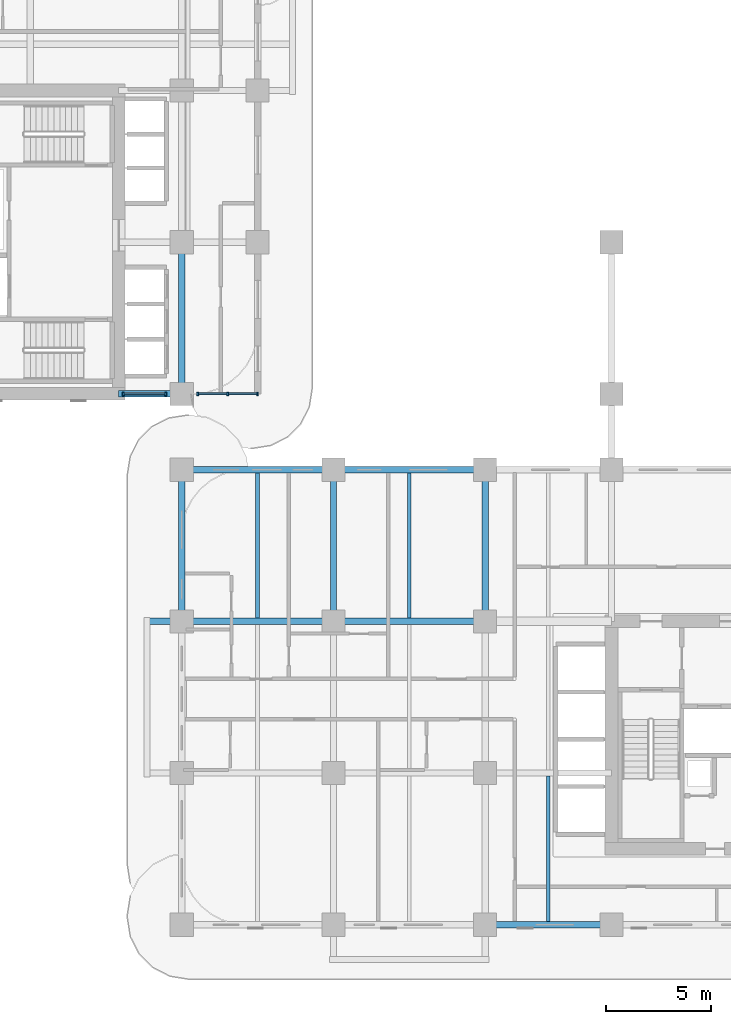
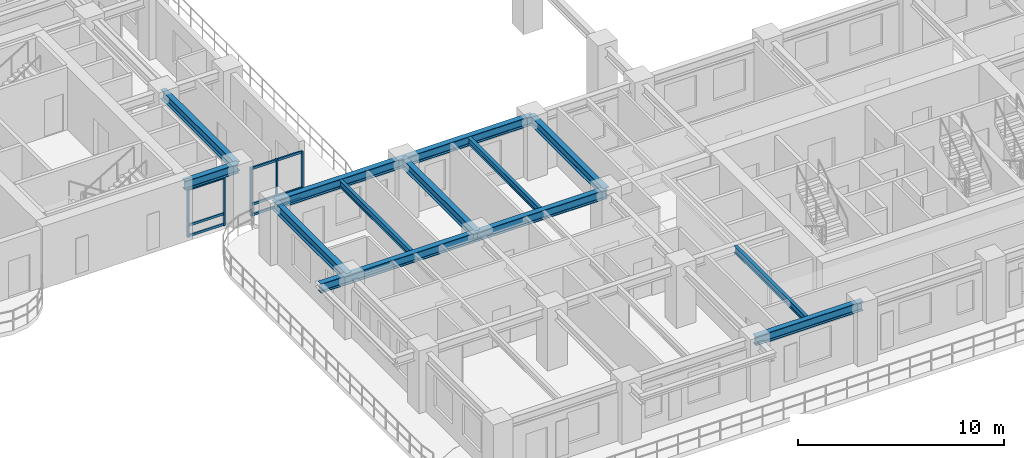
# One storey, part 2 of 19: 14 members, 13 beams, 2 elements without a shape of their own.
"""IFC4 building model written with IfcOpenShell, lengths in metres."""

import ifcopenshell
import ifcopenshell.guid

model = None  # the IFC model being written
_history = None  # IfcOwnerHistory: only IFC2X3 demands one
_inside = {}  # id of a spatial element -> (the spatial element, [elements in it])
_under = {}  # id of a project, library or spatial element -> (it, [spatial elements below it])
_declared = {}  # id of a project -> (the project, [libraries it declares])
_typed = {}  # id of a type object -> (the type object, [elements of that type])
_made_of = {}  # id of a material, layer set ... -> (it, [elements and type objects made of it])


def new_model(schema):
    """Start an empty IFC model of exactly this schema.

    Asked for "IFC4X3", IfcOpenShell would pick the latest addendum, in which some entities
    have other attributes; the version numbers below select the first issue.
    IFC2X3 requires an IfcOwnerHistory on every rooted entity: one is made here for all.
    """
    global model, _history
    if schema == "IFC4X3":
        model = ifcopenshell.file(schema_version=(4, 3, 0, 0))
    else:
        model = ifcopenshell.file(schema=schema)
    _inside.clear()
    _under.clear()
    _declared.clear()
    _typed.clear()
    _made_of.clear()
    _history = None
    if model.schema == "IFC2X3":
        org = make("IfcOrganization", Name="unknown")
        user = make(
            "IfcPersonAndOrganization",
            ThePerson=make("IfcPerson", FamilyName="unknown"),
            TheOrganization=org,
        )
        app = make(
            "IfcApplication",
            ApplicationDeveloper=org,
            Version="unknown",
            ApplicationFullName="unknown",
            ApplicationIdentifier="unknown",
        )
        _history = make(
            "IfcOwnerHistory",
            OwningUser=user,
            OwningApplication=app,
            ChangeAction="ADDED",
            CreationDate=0,
        )
    return model


def make(cls, **values):
    """One entity of the class cls with the attributes given. An attribute that is None is left unset."""
    return model.create_entity(
        cls, **{name: value for name, value in values.items() if value is not None}
    )


def rooted(cls, **values):
    """An entity with a GlobalId (a new one), such as an element, a storey or a relation."""
    return make(cls, GlobalId=ifcopenshell.guid.new(), OwnerHistory=_history, **values)


def si_unit(unit_type, name, prefix=None):
    """IfcSIUnit, for example si_unit("LENGTHUNIT", "METRE", prefix="MILLI")."""
    return make("IfcSIUnit", UnitType=unit_type, Prefix=prefix, Name=name)


def derived_unit(unit_type, elements):
    """IfcDerivedUnit: a product of units, each with its exponent."""
    return make(
        "IfcDerivedUnit",
        Elements=[
            make("IfcDerivedUnitElement", Unit=unit, Exponent=power)
            for unit, power in elements
        ],
        UnitType=unit_type,
    )


def assignment(units):
    """IfcUnitAssignment: the units of a project."""
    return None if units is None else make("IfcUnitAssignment", Units=units)


def point(xyz):
    """IfcCartesianPoint."""
    return None if xyz is None else make("IfcCartesianPoint", Coordinates=xyz)


def direction(xyz):
    """IfcDirection."""
    return None if xyz is None else make("IfcDirection", DirectionRatios=xyz)


def frame(location, z_axis=None, x_axis=None):
    """IfcAxis2Placement3D, a coordinate frame: its origin and axes. An axis left out is left unset."""
    return make(
        "IfcAxis2Placement3D",
        Location=point(location),
        Axis=direction(z_axis),
        RefDirection=direction(x_axis),
    )


def frame_2d(location, x_axis=None):
    """IfcAxis2Placement2D, a coordinate frame in the plane: its origin and x axis."""
    return make(
        "IfcAxis2Placement2D", Location=point(location), RefDirection=direction(x_axis)
    )


def origin():
    """The frame at (0, 0, 0) with its axes left unset."""
    return frame((0.0, 0.0, 0.0))


def origin_2d():
    """The frame at (0, 0) in the plane with its x axis left unset."""
    return frame_2d((0.0, 0.0))


def place(relative_to, where):
    """IfcLocalPlacement: puts the frame where relative to a parent placement (None: the world)."""
    return make(
        "IfcLocalPlacement", PlacementRelTo=relative_to, RelativePlacement=where
    )


def context(
    kind, dimensions, precision=None, world=None, true_north=None, identifier=None
):
    """IfcGeometricRepresentationContext, for example the 3D "Model" context."""
    return make(
        "IfcGeometricRepresentationContext",
        ContextIdentifier=identifier,
        ContextType=kind,
        CoordinateSpaceDimension=dimensions,
        Precision=precision,
        WorldCoordinateSystem=world,
        TrueNorth=true_north,
    )


def subcontext(parent, identifier, kind, view, scale=None):
    """IfcGeometricRepresentationSubContext, for example "Body" below "Model"."""
    return make(
        "IfcGeometricRepresentationSubContext",
        ContextIdentifier=identifier,
        ContextType=kind,
        ParentContext=parent,
        TargetScale=scale,
        TargetView=view,
    )


def project(units=None, contexts=None):
    """IfcProject with its units and contexts."""
    return rooted(
        "IfcProject",
        Name="project",
        RepresentationContexts=contexts,
        UnitsInContext=assignment(units),
    )


def spatial(cls, under=None, at=None, **own):
    """A site, building, storey or space (cls), placed at a placement, below another one or the project."""
    s = rooted(cls, ObjectPlacement=at, **own)
    if under is not None:
        _under.setdefault(under.id(), (under, []))[1].append(s)
    return s


def profile(cls, at=None, kind="AREA", **sizes):
    """A parametric profile (cls). Its sizes go by their IFC names, for example OverallWidth=200.0."""
    return make(cls, ProfileType=kind, Position=at, **sizes)


def rectangle(**sizes):
    """IfcRectangleProfileDef."""
    return profile("IfcRectangleProfileDef", **sizes)


def i_section(**sizes):
    """IfcIShapeProfileDef."""
    return profile("IfcIShapeProfileDef", **sizes)


def extrude(swept, where, along, depth):
    """IfcExtrudedAreaSolid: the profile swept, set in the frame where, extruded along a direction by depth."""
    return make(
        "IfcExtrudedAreaSolid",
        SweptArea=swept,
        Position=where,
        ExtrudedDirection=direction(along),
        Depth=depth,
    )


def shape(context_of_items, identifier, shape_type, items):
    """IfcShapeRepresentation: the items that make up one representation, for example the "Body"."""
    return make(
        "IfcShapeRepresentation",
        ContextOfItems=context_of_items,
        RepresentationIdentifier=identifier,
        RepresentationType=shape_type,
        Items=items,
    )


def source(mapping_origin, context_of_items, identifier, shape_type, items):
    """IfcRepresentationMap: a shape defined once, which mapped items show again and again."""
    return make(
        "IfcRepresentationMap",
        MappingOrigin=mapping_origin,
        MappedRepresentation=shape(context_of_items, identifier, shape_type, items),
    )


def transform(
    local_origin,
    x_axis=None,
    y_axis=None,
    z_axis=None,
    scale=None,
    scale2=None,
    scale3=None,
    uniform=True,
):
    """IfcCartesianTransformationOperator3D, or its non-uniform kind. x_axis, y_axis, z_axis: its Axis1, 2, 3."""
    if uniform:
        return make(
            "IfcCartesianTransformationOperator3D",
            Axis1=direction(x_axis),
            Axis2=direction(y_axis),
            LocalOrigin=point(local_origin),
            Scale=scale,
            Axis3=direction(z_axis),
        )
    return make(
        "IfcCartesianTransformationOperator3DnonUniform",
        Axis1=direction(x_axis),
        Axis2=direction(y_axis),
        LocalOrigin=point(local_origin),
        Scale=scale,
        Axis3=direction(z_axis),
        Scale2=scale2,
        Scale3=scale3,
    )


def mapped(mapping_source, mapping_target):
    """IfcMappedItem: shows the shape of a source again, moved by a transform."""
    return make(
        "IfcMappedItem", MappingSource=mapping_source, MappingTarget=mapping_target
    )


def material(Name=None, Category=None):
    """IfcMaterial."""
    return make("IfcMaterial", Name=Name, Category=Category)


def layer(
    of_material, thickness, ventilated=None, Name=None, Category=None, Priority=None
):
    """IfcMaterialLayer: one layer of a wall or slab, of a material (None: an air gap)."""
    return make(
        "IfcMaterialLayer",
        Material=of_material,
        LayerThickness=thickness,
        IsVentilated=ventilated,
        Name=Name,
        Category=Category,
        Priority=Priority,
    )


def layer_set(layers, Name=None):
    """IfcMaterialLayerSet."""
    return make("IfcMaterialLayerSet", MaterialLayers=layers, LayerSetName=Name)


def material_profile(
    of_material, cross_section, Name=None, Category=None, Priority=None
):
    """IfcMaterialProfile: a cross section and its material."""
    return make(
        "IfcMaterialProfile",
        Name=Name,
        Material=of_material,
        Profile=cross_section,
        Priority=Priority,
        Category=Category,
    )


def profile_set(profiles, Name=None, composite=None):
    """IfcMaterialProfileSet."""
    return make(
        "IfcMaterialProfileSet",
        Name=Name,
        MaterialProfiles=profiles,
        CompositeProfile=composite,
    )


def made_of(thing, what):
    """Note that an element or type object is made of a material, layer set ...; save() writes the relation."""
    if what is not None:
        _made_of.setdefault(what.id(), (what, []))[1].append(thing)
    return thing


def type_object(cls, material=None, **own):
    """A type object (cls), such as IfcWallType, which elements share."""
    return made_of(rooted(cls, **own), material)


def type_shapes(of_type, sources):
    """Give a type object the sources (RepresentationMaps) that its elements show as mapped items."""
    of_type.RepresentationMaps = sources


def element(
    cls,
    number,
    at=None,
    inside=None,
    cuts=None,
    type_object=None,
    material=None,
    context=None,
    identifier="Body",
    shape_type=None,
    held_by="IfcProductDefinitionShape",
    body=None,
    shapes=None,
    **own,
):
    """One element of the class cls, such as IfcWall. Its Tag is "e" and its number.

    at: its placement. inside: the storey or other place that contains it. cuts: it is an
    opening in that element (IfcRelVoidsElement). A single representation is given by context,
    identifier, shape_type and body (its items); several are given by shapes. held_by: the class
    of the entity that holds the representations. save() writes the other relations.
    """
    e = rooted(cls, Tag="e%d" % number, ObjectPlacement=at, **own)
    if body is not None:
        shapes = [shape(context, identifier, shape_type, body)]
    if shapes is not None:
        e.Representation = make(held_by, Representations=shapes)
    if inside is not None:
        _inside.setdefault(inside.id(), (inside, []))[1].append(e)
    if cuts is not None:
        rooted(
            "IfcRelVoidsElement", RelatingBuildingElement=cuts, RelatedOpeningElement=e
        )
    if type_object is not None:
        _typed.setdefault(type_object.id(), (type_object, []))[1].append(e)
    return made_of(e, material)


def aggregate(whole, parts):
    """IfcRelAggregates: a whole, such as a stair, and the parts it consists of."""
    return rooted("IfcRelAggregates", RelatingObject=whole, RelatedObjects=parts)


def save(model, path):
    """Write the relations noted so far, then the file.

    IfcRelAggregates (storeys below a building ...), IfcRelContainedInSpatialStructure (elements
    in a storey), IfcRelDefinesByType, IfcRelAssociatesMaterial and IfcRelDeclares: one each for
    every whole, place, type object, material and project.
    """
    for whole, parts in _under.values():
        aggregate(whole, parts)
    for where, things in _inside.values():
        rooted(
            "IfcRelContainedInSpatialStructure",
            RelatedElements=things,
            RelatingStructure=where,
        )
    for kind, things in _typed.values():
        rooted("IfcRelDefinesByType", RelatedObjects=things, RelatingType=kind)
    for what, things in _made_of.values():
        rooted("IfcRelAssociatesMaterial", RelatedObjects=things, RelatingMaterial=what)
    for by, libraries in _declared.values():
        rooted("IfcRelDeclares", RelatingContext=by, RelatedDefinitions=libraries)
    model.write(path)


model = new_model("IFC4")

# Units and contexts
model_context = context("Model", 3, precision=1e-05, world=origin(), true_north=direction((0.0, 1.0)))
body_context = subcontext(model_context, "Body", "Model", "MODEL_VIEW")
ifc_project = project(units=[si_unit("LENGTHUNIT", "METRE"), si_unit("AREAUNIT", "SQUARE_METRE"), si_unit("VOLUMEUNIT", "CUBIC_METRE"), si_unit("PLANEANGLEUNIT", "RADIAN"), si_unit("MASSUNIT", "GRAM", prefix="KILO"), si_unit("THERMODYNAMICTEMPERATUREUNIT", "KELVIN"), si_unit("POWERUNIT", "WATT"), derived_unit("THERMALTRANSMITTANCEUNIT", [(si_unit("POWERUNIT", "WATT"), 1), (si_unit("AREAUNIT", "SQUARE_METRE"), -1), (si_unit("THERMODYNAMICTEMPERATUREUNIT", "KELVIN"), -1)])], contexts=[model_context])

# Site, building, storey
site_placement = place(None, origin())
site = spatial("IfcSite", under=ifc_project, at=site_placement, CompositionType="ELEMENT")
building_placement = place(site_placement, origin())
building = spatial("IfcBuilding", under=site, at=building_placement, Name="Zahravan Archway Hotel and Residences", CompositionType="ELEMENT")
storey_placement = place(building_placement, frame((0.0, 0.0, 39.800048828125)))
storey = spatial("IfcBuildingStorey", under=building, at=storey_placement, Name="L08", CompositionType="ELEMENT", Elevation=39.800048828125)

# Beams
ifc_material_1 = material(Name="Structural Steel S355JR", Category="steel")
ifc_material_profile_1 = material_profile(ifc_material_1, i_section(OverallWidth=0.300048828125, OverallDepth=0.550048828125, WebThickness=0.014892578125, FlangeThickness=0.029052734375, FilletRadius=0.027099609375, at=origin_2d()), Name="HEB 550", Category="steel")
ifc_profile_set_1 = profile_set([ifc_material_profile_1], Name="Structural Steel S355JR")
beam_type_1 = type_object("IfcBeamType", Name="BM-PRI-HEB550", PredefinedType="BEAM", material=ifc_profile_set_1)
shared_shape_1 = source(origin(), body_context, "Body", "SweptSolid", [
    extrude(i_section(OverallWidth=0.300048828125, OverallDepth=0.550048828125, WebThickness=0.014892578125, FlangeThickness=0.029052734375, FilletRadius=0.027099609375, at=origin_2d()), origin(), (0.0, 0.0, 1.0), 7.2001953125),
])
type_shapes(beam_type_1, [shared_shape_1])
for number, where, z_axis, x_axis, name in (
    (1, (14.39990234375, 21.60009765625, 3.175048828125), (1.0, 0.0, 0.0), (0.0, 1.0, 0.0), "L08 Primary Girder EW-14"),
    (2, (14.39990234375, 14.39990234375, 3.175048828125), (0.0, 1.0, 0.0), (-1.0, 0.0, 0.0), "L08 Primary Girder NS-33"),
    (3, (21.60009765625, 14.39990234375, 3.175048828125), (0.0, 1.0, 0.0), (-1.0, 0.0, 0.0), "L08 Primary Girder NS-39"),
    (4, (28.800048828125, 14.39990234375, 3.175048828125), (0.0, 1.0, 0.0), (-1.0, 0.0, 0.0), "L08 Primary Girder NS-42"),
):
    element("IfcBeam", number, at=place(storey_placement, frame(where, z_axis=z_axis, x_axis=x_axis)), inside=storey, type_object=beam_type_1, Name=name, PredefinedType="BEAM", context=body_context, shape_type="MappedRepresentation", body=[
        mapped(shared_shape_1, transform((0.0, 0.0, 0.0), scale=1.0)),
    ])
shared_shape_2 = source(origin(), body_context, "Body", "SweptSolid", [
    extrude(i_section(OverallWidth=0.300048828125, OverallDepth=0.550048828125, WebThickness=0.014892578125, FlangeThickness=0.029052734375, FilletRadius=0.027099609375, at=origin_2d()), origin(), (0.0, 0.0, 1.0), 7.199951171875),
])
for number, where, z_axis, x_axis, name in (
    (5, (21.60009765625, 14.39990234375, 3.175048828125), (1.0, 0.0, 0.0), (0.0, 1.0, 0.0), "L08 Primary Girder EW-12"),
    (6, (21.60009765625, 21.60009765625, 3.175048828125), (1.0, 0.0, 0.0), (0.0, 1.0, 0.0), "L08 Primary Girder EW-15"),
    (7, (14.39990234375, 25.199951171875, 3.175048828125), (0.0, 1.0, 0.0), (-1.0, 0.0, 0.0), "L08 Primary Girder NS-34"),
):
    element("IfcBeam", number, at=place(storey_placement, frame(where, z_axis=z_axis, x_axis=x_axis)), inside=storey, type_object=beam_type_1, Name=name, PredefinedType="BEAM", context=body_context, shape_type="MappedRepresentation", body=[
        mapped(shared_shape_2, transform((0.0, 0.0, 0.0), scale=1.0)),
    ])
shared_shape_3 = source(origin(), body_context, "Body", "SweptSolid", [
    extrude(i_section(OverallWidth=0.300048828125, OverallDepth=0.550048828125, WebThickness=0.014892578125, FlangeThickness=0.029052734375, FilletRadius=0.027099609375, at=origin_2d()), origin(), (0.0, 0.0, 1.0), 6.0),
])
beam_1_placement = place(storey_placement, frame((28.800048828125, 0.0, 3.175048828125), z_axis=(1.0, 0.0, 0.0), x_axis=(0.0, 1.0, 0.0)))
element("IfcBeam", 8, at=beam_1_placement, inside=storey, type_object=beam_type_1, Name="L08 Primary Girder EW-03", PredefinedType="BEAM", context=body_context, shape_type="MappedRepresentation", body=[
    mapped(shared_shape_3, transform((0.0, 0.0, 0.0), scale=1.0)),
])
shared_shape_4 = source(origin(), body_context, "Body", "SweptSolid", [
    extrude(i_section(OverallWidth=0.300048828125, OverallDepth=0.550048828125, WebThickness=0.014892578125, FlangeThickness=0.029052734375, FilletRadius=0.027099609375, at=origin_2d()), origin(), (0.0, 0.0, 1.0), 8.85009765625),
])
beam_2_placement = place(storey_placement, frame((12.75, 14.39990234375, 3.175048828125), z_axis=(1.0, 0.0, 0.0), x_axis=(0.0, 1.0, 0.0)))
element("IfcBeam", 9, at=beam_2_placement, inside=storey, type_object=beam_type_1, Name="L08 Primary Girder EW-11", PredefinedType="BEAM", context=body_context, shape_type="MappedRepresentation", body=[
    mapped(shared_shape_4, transform((0.0, 0.0, 0.0), scale=1.0)),
])
shared_shape_5 = source(origin(), body_context, "Body", "SweptSolid", [
    extrude(i_section(OverallWidth=0.300048828125, OverallDepth=0.550048828125, WebThickness=0.014892578125, FlangeThickness=0.029052734375, FilletRadius=0.027099609375, at=origin_2d()), origin(), (0.0, 0.0, 1.0), 3.0),
])
beam_3_placement = place(storey_placement, frame((11.39990234375, 25.199951171875, 3.175048828125), z_axis=(1.0, 0.0, 0.0), x_axis=(0.0, 1.0, 0.0)))
element("IfcBeam", 10, at=beam_3_placement, inside=storey, type_object=beam_type_1, Name="L08 Primary Girder EW-20", PredefinedType="BEAM", context=body_context, shape_type="MappedRepresentation", body=[
    mapped(shared_shape_5, transform((0.0, 0.0, 0.0), scale=1.0)),
])
ifc_material_profile_2 = material_profile(ifc_material_1, i_section(OverallWidth=0.179931640625, OverallDepth=0.39990234375, WebThickness=0.008544921875, FlangeThickness=0.013427734375, FilletRadius=0.02099609375, at=origin_2d()), Name="IPE 400", Category="steel")
ifc_profile_set_2 = profile_set([ifc_material_profile_2], Name="Structural Steel S355JR")
beam_type_2 = type_object("IfcBeamType", Name="BM-JST-IPE400", PredefinedType="JOIST", material=ifc_profile_set_2)
shared_shape_6 = source(origin(), body_context, "Body", "SweptSolid", [
    extrude(i_section(OverallWidth=0.179931640625, OverallDepth=0.39990234375, WebThickness=0.008544921875, FlangeThickness=0.013427734375, FilletRadius=0.02099609375, at=origin_2d()), origin(), (0.0, 0.0, 1.0), 6.904052734375),
])
type_shapes(beam_type_2, [shared_shape_6])
beam_4_placement = place(storey_placement, frame((31.800048828125, 0.14794921875, 3.25), z_axis=(0.0, 1.0, 0.0), x_axis=(-1.0, 0.0, 0.0)))
element("IfcBeam", 11, at=beam_4_placement, inside=storey, type_object=beam_type_2, Name="L08 Composite Floor Joist 03", PredefinedType="JOIST", context=body_context, shape_type="MappedRepresentation", body=[
    mapped(shared_shape_6, transform((0.0, 0.0, 0.0), scale=1.0)),
])
shared_shape_7 = source(origin(), body_context, "Body", "SweptSolid", [
    extrude(i_section(OverallWidth=0.179931640625, OverallDepth=0.39990234375, WebThickness=0.008544921875, FlangeThickness=0.013427734375, FilletRadius=0.02099609375, at=origin_2d()), origin(), (0.0, 0.0, 1.0), 6.90380859375),
])
for number, where, z_axis, x_axis, name in (
    (12, (18.0, 14.548095703125, 3.25), (0.0, 1.0, 0.0), (-1.0, 0.0, 0.0), "L08 Composite Floor Joist 10"),
    (13, (25.199951171875, 14.548095703125, 3.25), (0.0, 1.0, 0.0), (-1.0, 0.0, 0.0), "L08 Composite Floor Joist 11"),
):
    element("IfcBeam", number, at=place(storey_placement, frame(where, z_axis=z_axis, x_axis=x_axis)), inside=storey, type_object=beam_type_2, Name=name, PredefinedType="JOIST", context=body_context, shape_type="MappedRepresentation", body=[
        mapped(shared_shape_7, transform((0.0, 0.0, 0.0), scale=1.0)),
    ])

# Curtain wall, members
ifc_material_2 = material(Name="Bronze-Anodized Unitised Aluminium & Low-E Glass", Category="aluminium")
ifc_layer = layer(ifc_material_2, 0.179931640625, Name="Bronze-Anodized Unitised Aluminium & Low-E Glass", Category="aluminium")
ifc_layer_set = layer_set([ifc_layer], Name="Bronze-Anodized Unitised Aluminium & Low-E Glass")
curtain_wall_type = type_object("IfcCurtainWallType", Name="CW-TWR-FEAT", PredefinedType="NOTDEFINED", material=ifc_layer_set)
curtain_wall_1_placement = place(storey_placement, origin())
curtain_wall_1 = element("IfcCurtainWall", 14, at=curtain_wall_1_placement, inside=storey, type_object=curtain_wall_type, Name="L08 Curtain Wall CW-L08-WB-SE-2", PredefinedType="NOTDEFINED")
ifc_material_3 = material(Name="Bronze-Anodized Extruded Aluminium", Category="aluminium")
ifc_material_profile_3 = material_profile(ifc_material_3, rectangle(XDim=0.080078125, YDim=0.139892578125, at=origin_2d()), Name="TRN 80x140", Category="aluminium")
ifc_profile_set_3 = profile_set([ifc_material_profile_3], Name="Bronze-Anodized Extruded Aluminium")
member_type_1 = type_object("IfcMemberType", Name="CWM-TRN-140", PredefinedType="USERDEFINED", material=ifc_profile_set_3)
shared_shape_8 = source(origin(), body_context, "Body", "SweptSolid", [
    extrude(rectangle(XDim=0.080078125, YDim=0.139892578125, at=origin_2d()), origin(), (0.0, 0.0, 1.0), 1.33984375),
])
member_1_placement = place(storey_placement, frame((16.6201171875, 25.199951171875, 0.070068359375), z_axis=(1.0, 0.0, 0.0), x_axis=(0.0, 1.0, 0.0)))
member_1 = element("IfcMember", 15, at=member_1_placement, type_object=member_type_1, Name="CW-L08-WB-SE-2 Transom 1-1", ObjectType="TRANSOM", PredefinedType="USERDEFINED", context=body_context, shape_type="MappedRepresentation", body=[
    mapped(shared_shape_8, transform((0.0, 0.0, 0.0), scale=1.0)),
])
member_2_placement = place(storey_placement, frame((16.6201171875, 25.199951171875, 0.6923828125), z_axis=(1.0, 0.0, 0.0), x_axis=(0.0, 1.0, 0.0)))
member_2 = element("IfcMember", 16, at=member_2_placement, type_object=member_type_1, Name="CW-L08-WB-SE-2 Transom 1-2", ObjectType="TRANSOM", PredefinedType="USERDEFINED", context=body_context, shape_type="MappedRepresentation", body=[
    mapped(shared_shape_8, transform((0.0, 0.0, 0.0), scale=1.0)),
])
member_3_placement = place(storey_placement, frame((16.6201171875, 25.199951171875, 2.81494140625), z_axis=(1.0, 0.0, 0.0), x_axis=(0.0, 1.0, 0.0)))
member_3 = element("IfcMember", 17, at=member_3_placement, type_object=member_type_1, Name="CW-L08-WB-SE-2 Transom 1-3", ObjectType="TRANSOM", PredefinedType="USERDEFINED", context=body_context, shape_type="MappedRepresentation", body=[
    mapped(shared_shape_8, transform((0.0, 0.0, 0.0), scale=1.0)),
])
shared_shape_9 = source(origin(), body_context, "Body", "SweptSolid", [
    extrude(rectangle(XDim=0.080078125, YDim=0.139892578125, at=origin_2d()), origin(), (0.0, 0.0, 1.0), 1.340087890625),
])
member_4_placement = place(storey_placement, frame((15.199951171875, 25.199951171875, 0.070068359375), z_axis=(1.0, 0.0, 0.0), x_axis=(0.0, 1.0, 0.0)))
member_4 = element("IfcMember", 18, at=member_4_placement, type_object=member_type_1, Name="CW-L08-WB-SE-2 Transom 0-1", ObjectType="TRANSOM", PredefinedType="USERDEFINED", context=body_context, shape_type="MappedRepresentation", body=[
    mapped(shared_shape_9, transform((0.0, 0.0, 0.0), scale=1.0)),
])
member_5_placement = place(storey_placement, frame((15.199951171875, 25.199951171875, 0.6923828125), z_axis=(1.0, 0.0, 0.0), x_axis=(0.0, 1.0, 0.0)))
member_5 = element("IfcMember", 19, at=member_5_placement, type_object=member_type_1, Name="CW-L08-WB-SE-2 Transom 0-2", ObjectType="TRANSOM", PredefinedType="USERDEFINED", context=body_context, shape_type="MappedRepresentation", body=[
    mapped(shared_shape_9, transform((0.0, 0.0, 0.0), scale=1.0)),
])
member_6_placement = place(storey_placement, frame((15.199951171875, 25.199951171875, 2.81494140625), z_axis=(1.0, 0.0, 0.0), x_axis=(0.0, 1.0, 0.0)))
member_6 = element("IfcMember", 20, at=member_6_placement, type_object=member_type_1, Name="CW-L08-WB-SE-2 Transom 0-3", ObjectType="TRANSOM", PredefinedType="USERDEFINED", context=body_context, shape_type="MappedRepresentation", body=[
    mapped(shared_shape_9, transform((0.0, 0.0, 0.0), scale=1.0)),
])

curtain_wall_2_placement = place(storey_placement, origin())
curtain_wall_2 = element("IfcCurtainWall", 21, at=curtain_wall_2_placement, inside=storey, type_object=curtain_wall_type, Name="L08 Curtain Wall CW-L08-WB-SE-1", PredefinedType="NOTDEFINED")
ifc_material_profile_4 = material_profile(ifc_material_3, rectangle(XDim=0.080078125, YDim=0.159912109375, at=origin_2d()), Name="MUL 80x160", Category="aluminium")
ifc_profile_set_4 = profile_set([ifc_material_profile_4], Name="Bronze-Anodized Extruded Aluminium")
member_type_2 = type_object("IfcMemberType", Name="CWM-MUL-160", PredefinedType="MULLION", material=ifc_profile_set_4)
shared_shape_10 = source(origin(), body_context, "Body", "SweptSolid", [
    extrude(rectangle(XDim=0.080078125, YDim=0.159912109375, at=origin_2d()), origin(), (0.0, 0.0, 1.0), 2.885009765625),
])
member_7_placement = place(storey_placement, frame((11.6201171875, 25.199951171875, 0.0), z_axis=(0.0, 0.0, 1.0), x_axis=(1.0, 0.0, 0.0)))
member_7 = element("IfcMember", 22, at=member_7_placement, type_object=member_type_2, Name="CW-L08-WB-SE-1 Mullion 0", PredefinedType="MULLION", context=body_context, shape_type="MappedRepresentation", body=[
    mapped(shared_shape_10, transform((0.0, 0.0, 0.0), scale=1.0)),
])
member_8_placement = place(storey_placement, frame((13.639892578125, 25.199951171875, 0.0), z_axis=(0.0, 0.0, 1.0), x_axis=(1.0, 0.0, 0.0)))
member_8 = element("IfcMember", 23, at=member_8_placement, type_object=member_type_2, Name="CW-L08-WB-SE-1 Mullion 1", PredefinedType="MULLION", context=body_context, shape_type="MappedRepresentation", body=[
    mapped(shared_shape_10, transform((0.0, 0.0, 0.0), scale=1.0)),
])

# Member
member_9_placement = place(storey_placement, frame((15.159912109375, 25.199951171875, 0.0), z_axis=(0.0, 0.0, 1.0), x_axis=(1.0, 0.0, 0.0)))
member_9 = element("IfcMember", 24, at=member_9_placement, type_object=member_type_2, Name="CW-L08-WB-SE-2 Mullion 0", PredefinedType="MULLION", context=body_context, shape_type="MappedRepresentation", body=[
    mapped(shared_shape_10, transform((0.0, 0.0, 0.0), scale=1.0)),
])

member_10_placement = place(storey_placement, frame((16.580078125, 25.199951171875, 0.0), z_axis=(0.0, 0.0, 1.0), x_axis=(1.0, 0.0, 0.0)))
member_10 = element("IfcMember", 25, at=member_10_placement, type_object=member_type_2, Name="CW-L08-WB-SE-2 Mullion 1", PredefinedType="MULLION", context=body_context, shape_type="MappedRepresentation", body=[
    mapped(shared_shape_10, transform((0.0, 0.0, 0.0), scale=1.0)),
])

member_11_placement = place(storey_placement, frame((18.0, 25.199951171875, 0.0), z_axis=(0.0, 0.0, 1.0), x_axis=(1.0, 0.0, 0.0)))
member_11 = element("IfcMember", 26, at=member_11_placement, type_object=member_type_2, Name="CW-L08-WB-SE-2 Mullion 2", PredefinedType="MULLION", context=body_context, shape_type="MappedRepresentation", body=[
    mapped(shared_shape_10, transform((0.0, 0.0, 0.0), scale=1.0)),
])

aggregate(curtain_wall_1, [member_9, member_10, member_11, member_4, member_5, member_6, member_1, member_2, member_3])

shared_shape_11 = source(origin(), body_context, "Body", "SweptSolid", [
    extrude(rectangle(XDim=0.080078125, YDim=0.139892578125, at=origin_2d()), origin(), (0.0, 0.0, 1.0), 1.940185546875),
])
member_12_placement = place(storey_placement, frame((11.659912109375, 25.199951171875, 0.070068359375), z_axis=(1.0, 0.0, 0.0), x_axis=(0.0, 1.0, 0.0)))
member_12 = element("IfcMember", 27, at=member_12_placement, type_object=member_type_1, Name="CW-L08-WB-SE-1 Transom 0-1", ObjectType="TRANSOM", PredefinedType="USERDEFINED", context=body_context, shape_type="MappedRepresentation", body=[
    mapped(shared_shape_11, transform((0.0, 0.0, 0.0), scale=1.0)),
])

member_13_placement = place(storey_placement, frame((11.659912109375, 25.199951171875, 0.6923828125), z_axis=(1.0, 0.0, 0.0), x_axis=(0.0, 1.0, 0.0)))
member_13 = element("IfcMember", 28, at=member_13_placement, type_object=member_type_1, Name="CW-L08-WB-SE-1 Transom 0-2", ObjectType="TRANSOM", PredefinedType="USERDEFINED", context=body_context, shape_type="MappedRepresentation", body=[
    mapped(shared_shape_11, transform((0.0, 0.0, 0.0), scale=1.0)),
])

member_14_placement = place(storey_placement, frame((11.659912109375, 25.199951171875, 2.81494140625), z_axis=(1.0, 0.0, 0.0), x_axis=(0.0, 1.0, 0.0)))
member_14 = element("IfcMember", 29, at=member_14_placement, type_object=member_type_1, Name="CW-L08-WB-SE-1 Transom 0-3", ObjectType="TRANSOM", PredefinedType="USERDEFINED", context=body_context, shape_type="MappedRepresentation", body=[
    mapped(shared_shape_11, transform((0.0, 0.0, 0.0), scale=1.0)),
])

aggregate(curtain_wall_2, [member_7, member_8, member_12, member_13, member_14])

save(model, "model.ifc")
